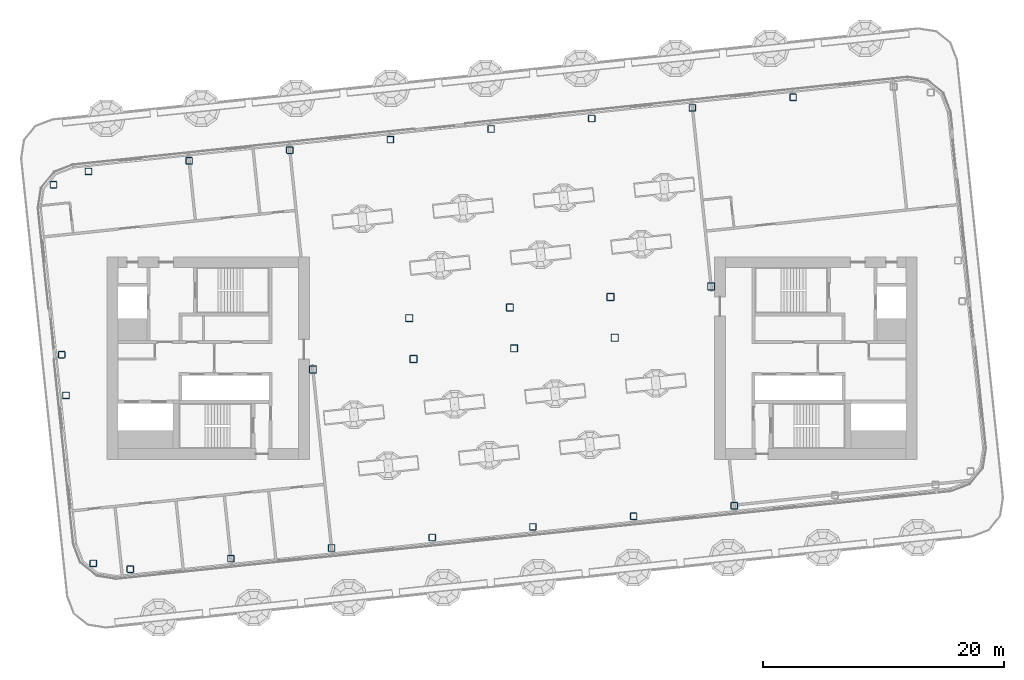
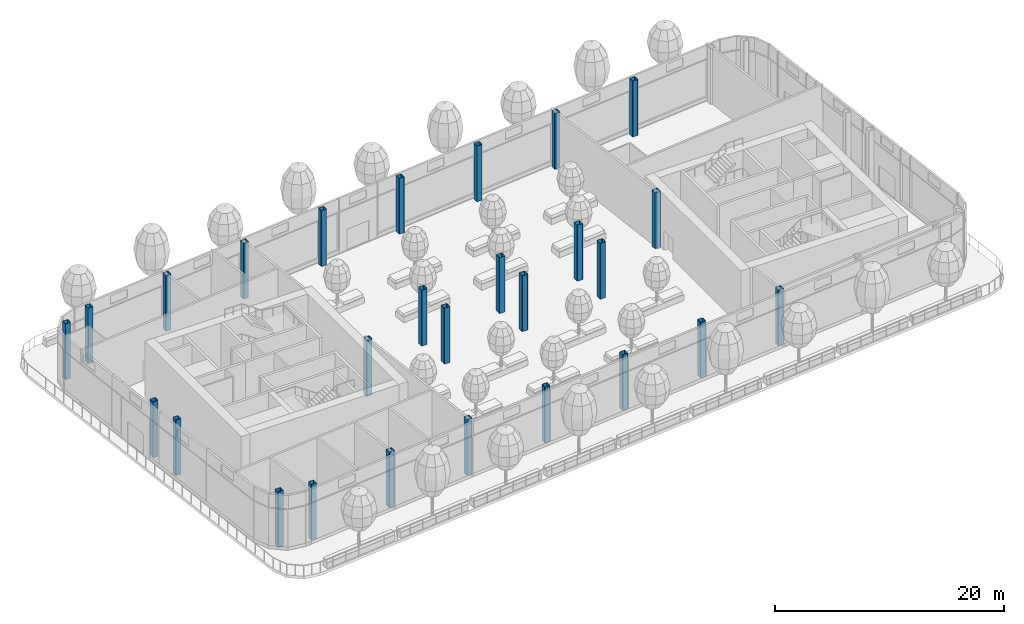
# One storey, part 1 of 42: 27 columns.
"""IFC4 building model written with IfcOpenShell, lengths in metres."""

from ifc_helpers import new_model, si_unit, direction, frame, origin, origin_2d, place, context, subcontext, project, spatial, hollow_rectangle, extrude, material, material_profile, profile_set, type_object, element, save


model = new_model("IFC4")

# Units and contexts
model_context = context("Model", 3, precision=1e-05, world=origin(), true_north=direction((0.0, 1.0)))
body_context = subcontext(model_context, "Body", "Model", "MODEL_VIEW")
ifc_project = project(units=[si_unit("LENGTHUNIT", "METRE"), si_unit("AREAUNIT", "SQUARE_METRE"), si_unit("VOLUMEUNIT", "CUBIC_METRE"), si_unit("PLANEANGLEUNIT", "RADIAN"), si_unit("MASSUNIT", "GRAM", prefix="KILO")], contexts=[model_context])

# Site, building, storey
site_placement = place(None, origin())
site = spatial("IfcSite", under=ifc_project, at=site_placement, CompositionType="ELEMENT")
building_placement = place(site_placement, origin())
building = spatial("IfcBuilding", under=site, at=building_placement, Name="Hakoniwa Tower and Hamabe Station Hall", CompositionType="ELEMENT")
storey_placement = place(building_placement, frame((0.0, 0.0, 232.60009765625)))
storey = spatial("IfcBuildingStorey", under=building, at=storey_placement, Name="L66", CompositionType="ELEMENT", Elevation=232.60009765625)

# Columns
ifc_material_1 = material(Name="Steel BCP325", Category="steel")
ifc_material_profile_1 = material_profile(ifc_material_1, hollow_rectangle(XDim=0.550048828125, YDim=0.550048828125, WallThickness=0.02197265625, InnerFilletRadius=0.032958984375, OuterFilletRadius=0.054931640625, at=origin_2d()), Name="BCP-550x550x22")
ifc_profile_set_1 = profile_set([ifc_material_profile_1], Name="Steel BCP325")
column_type_1 = type_object("IfcColumnType", Name="COLUMN BCP-550x550x22", PredefinedType="COLUMN", material=ifc_profile_set_1)
for number, where, z_axis, x_axis, name in (
    (1, (-34.750732421875, -17.04248046875, 0.0), (0.0, 0.0, 1.0), (1.0, 0.0, 0.0), "Column B5-EW-A5"),
    (2, (-37.017333984375, -3.10009765625, 0.0), (0.0, 0.0, 1.0), (1.0, 0.0, 0.0), "Column B5-EW-C5"),
    (3, (-37.372802734375, 0.28125, 0.0), (0.0, 0.0, 1.0), (1.0, 0.0, 0.0), "Column B5-EW-D5"),
    (4, (-38.054443359375, 14.390380859375, 0.0), (0.0, 0.0, 1.0), (1.0, 0.0, 0.0), "Column B5-EW-F5"),
    (5, (-31.680908203125, -17.521240234375, 0.0), (0.0, 0.0, 1.0), (1.0, 0.0, 0.0), "Column B5-3-A5"),
    (6, (-35.151123046875, 15.496826171875, 0.0), (0.0, 0.0, 1.0), (1.0, 0.0, 0.0), "Column B5-3-F5"),
    (7, (-23.326904296875, -16.643310546875, 0.0), (0.0, 0.0, 1.0), (1.0, 0.0, 0.0), "Column B5-4-A5"),
    (8, (-26.797119140625, 16.375, 0.0), (0.0, 0.0, 1.0), (1.0, 0.0, 0.0), "Column B5-4-F5"),
    (9, (-14.972900390625, -15.76513671875, 0.0), (0.0, 0.0, 1.0), (1.0, 0.0, 0.0), "Column B5-5-A5"),
    (10, (-18.443115234375, 17.2529296875, 0.0), (0.0, 0.0, 1.0), (1.0, 0.0, 0.0), "Column B5-5-F5"),
    (11, (-6.618896484375, -14.88720703125, 0.0), (0.0, 0.0, 1.0), (1.0, 0.0, 0.0), "Column B5-6-A5"),
    (12, (-10.089111328125, 18.131103515625, 0.0), (0.0, 0.0, 1.0), (1.0, 0.0, 0.0), "Column B5-6-F5"),
    (13, (1.735107421875, -14.009033203125, 0.0), (0.0, 0.0, 1.0), (1.0, 0.0, 0.0), "Column B5-7-A5"),
    (14, (-1.735107421875, 19.009033203125, 0.0), (0.0, 0.0, 1.0), (1.0, 0.0, 0.0), "Column B5-7-F5"),
    (15, (10.089111328125, -13.131103515625, 0.0), (0.0, 0.0, 1.0), (1.0, 0.0, 0.0), "Column B5-8-A5"),
    (16, (6.618896484375, 19.88720703125, 0.0), (0.0, 0.0, 1.0), (1.0, 0.0, 0.0), "Column B5-8-F5"),
    (17, (18.443115234375, -12.2529296875, 0.0), (0.0, 0.0, 1.0), (1.0, 0.0, 0.0), "Column B5-9-A5"),
    (18, (14.972900390625, 20.76513671875, 0.0), (0.0, 0.0, 1.0), (1.0, 0.0, 0.0), "Column B5-9-F5"),
    (19, (23.326904296875, 21.643310546875, 0.0), (0.0, 0.0, 1.0), (1.0, 0.0, 0.0), "Column B5-10-F5"),
):
    element("IfcColumn", number, at=place(storey_placement, frame(where, z_axis=z_axis, x_axis=x_axis)), inside=storey, type_object=column_type_1, Name=name, PredefinedType="COLUMN", context=body_context, shape_type="SweptSolid", body=[
        extrude(hollow_rectangle(XDim=0.550048828125, YDim=0.550048828125, WallThickness=0.02197265625, InnerFilletRadius=0.032958984375, OuterFilletRadius=0.054931640625, at=origin_2d()), origin(), (0.0, 0.0, 1.0), 5.949951171875),
    ])
ifc_material_2 = material(Name="Steel BCP325", Category="steel")
ifc_material_profile_2 = material_profile(ifc_material_2, hollow_rectangle(XDim=0.60009765625, YDim=0.60009765625, WallThickness=0.02490234375, InnerFilletRadius=0.03759765625, OuterFilletRadius=0.0625, at=origin_2d()), Name="BCP-600x600x25")
ifc_profile_set_2 = profile_set([ifc_material_profile_2], Name="Steel BCP325")
column_type_2 = type_object("IfcColumnType", Name="COLUMN BCP-600x600x25", PredefinedType="COLUMN", material=ifc_profile_set_2)
for number, where, z_axis, x_axis, name in (
    (20, (-16.5302734375, -0.94677734375, 0.0), (0.0, 0.0, 1.0), (1.0, 0.0, 0.0), "Column B5-5-C5"),
    (21, (-8.17626953125, -0.068603515625, 0.0), (0.0, 0.0, 1.0), (1.0, 0.0, 0.0), "Column B5-6-C5"),
    (22, (-8.53173828125, 3.3125, 0.0), (0.0, 0.0, 1.0), (1.0, 0.0, 0.0), "Column B5-6-D5"),
    (23, (0.177734375, 0.809326171875, 0.0), (0.0, 0.0, 1.0), (1.0, 0.0, 0.0), "Column B5-7-C5"),
    (24, (-0.177734375, 4.190673828125, 0.0), (0.0, 0.0, 1.0), (1.0, 0.0, 0.0), "Column B5-7-D5"),
    (25, (8.53173828125, 1.6875, 0.0), (0.0, 0.0, 1.0), (1.0, 0.0, 0.0), "Column B5-8-C5"),
    (26, (8.17626953125, 5.068603515625, 0.0), (0.0, 0.0, 1.0), (1.0, 0.0, 0.0), "Column B5-8-D5"),
    (27, (16.5302734375, 5.94677734375, 0.0), (0.0, 0.0, 1.0), (1.0, 0.0, 0.0), "Column B5-9-D5"),
):
    element("IfcColumn", number, at=place(storey_placement, frame(where, z_axis=z_axis, x_axis=x_axis)), inside=storey, type_object=column_type_2, Name=name, PredefinedType="COLUMN", context=body_context, shape_type="SweptSolid", body=[
        extrude(hollow_rectangle(XDim=0.60009765625, YDim=0.60009765625, WallThickness=0.02490234375, InnerFilletRadius=0.03759765625, OuterFilletRadius=0.0625, at=origin_2d()), origin(), (0.0, 0.0, 1.0), 5.949951171875),
    ])

save(model, "model.ifc")
